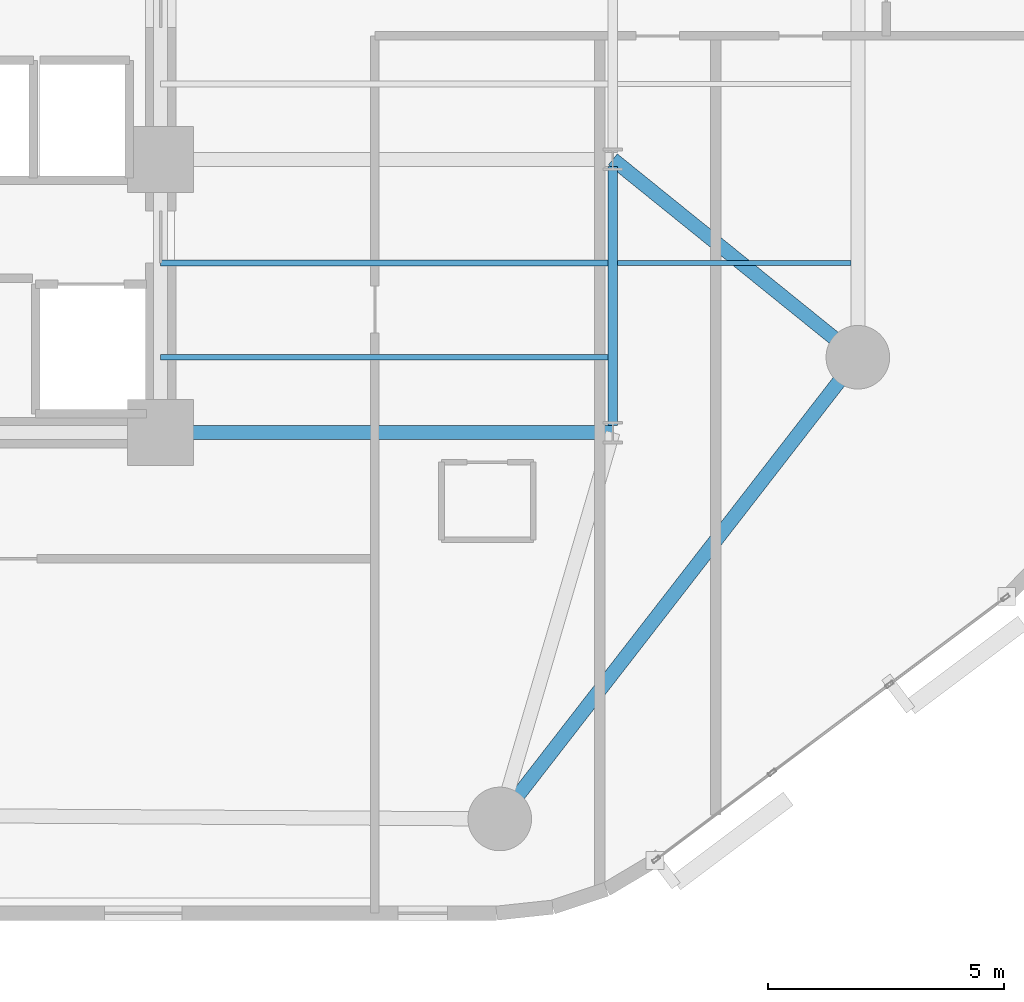
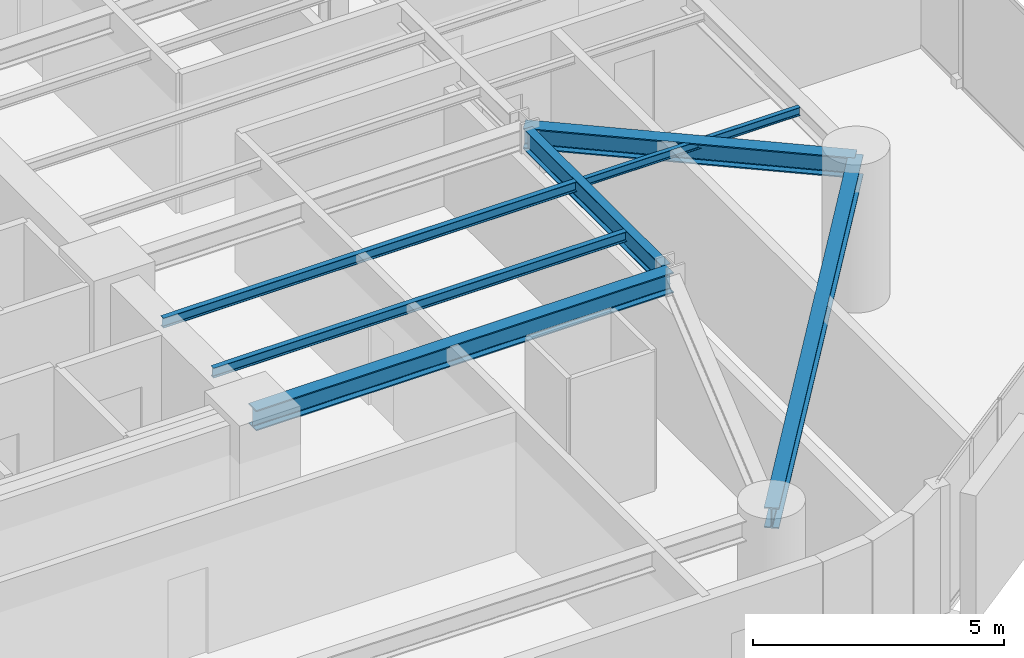
# One storey, part 3 of 16: 7 beams.
"""IFC4 building model written with IfcOpenShell, lengths in metres."""

from ifc_helpers import new_model, si_unit, direction, frame, origin, origin_2d, place, context, subcontext, project, spatial, i_section, extrude, material, material_profile, profile_set, type_object, element, save


model = new_model("IFC4")

# Units and contexts
model_context = context("Model", 3, precision=1e-05, world=origin(), true_north=direction((0.0, 1.0)))
body_context = subcontext(model_context, "Body", "Model", "MODEL_VIEW")
ifc_project = project(units=[si_unit("LENGTHUNIT", "METRE"), si_unit("AREAUNIT", "SQUARE_METRE"), si_unit("VOLUMEUNIT", "CUBIC_METRE"), si_unit("PLANEANGLEUNIT", "RADIAN"), si_unit("MASSUNIT", "GRAM", prefix="KILO")], contexts=[model_context])

# Site, building, storey
site_placement = place(None, origin())
site = spatial("IfcSite", under=ifc_project, at=site_placement, CompositionType="ELEMENT")
building_placement = place(site_placement, origin())
building = spatial("IfcBuilding", under=site, at=building_placement, Name="An Khanh Terracotta Commons", CompositionType="ELEMENT")
storey_placement = place(building_placement, frame((0.0, 0.0, 97.10009765625)))
storey = spatial("IfcBuildingStorey", under=building, at=storey_placement, Name="L25", CompositionType="ELEMENT", Elevation=97.10009765625)

# Beams
ifc_material = material(Name="Steel S355J2", Category="steel")
ifc_material_profile_1 = material_profile(ifc_material, i_section(OverallWidth=0.300048828125, OverallDepth=0.5, WebThickness=0.014404296875, FlangeThickness=0.028076171875, FilletRadius=0.027099609375, at=origin_2d()), Name="HEB500")
ifc_profile_set_1 = profile_set([ifc_material_profile_1], Name="Steel S355J2")
beam_type_1 = type_object("IfcBeamType", Name="BM-HEB500", PredefinedType="BEAM", material=ifc_profile_set_1)
beam_1_placement = place(storey_placement, frame((44.39990234375, 6.199951171875, 3.14990234375), z_axis=(0.612826529795, 0.790217466511, 0.0), x_axis=(-0.790217466511, 0.612826529795, 0.0)))
element("IfcBeam", 1, at=beam_1_placement, inside=storey, type_object=beam_type_1, Name="L25 Perimeter Ring Spandrel 2", PredefinedType="BEAM", context=body_context, shape_type="SweptSolid", body=[
    extrude(i_section(OverallWidth=0.300048828125, OverallDepth=0.5, WebThickness=0.014404296875, FlangeThickness=0.028076171875, FilletRadius=0.027099609375, at=origin_2d()), origin(), (0.0, 0.0, 1.0), 12.401611328125),
])
beam_2_placement = place(storey_placement, frame((37.199951171875, 14.39990234375, 3.14990234375), z_axis=(1.0, 0.0, 0.0), x_axis=(0.0, 1.0, 0.0)))
element("IfcBeam", 2, at=beam_2_placement, inside=storey, type_object=beam_type_1, Name="L25 East Primary Floor Girder 1", PredefinedType="BEAM", context=body_context, shape_type="SweptSolid", body=[
    extrude(i_section(OverallWidth=0.300048828125, OverallDepth=0.5, WebThickness=0.014404296875, FlangeThickness=0.028076171875, FilletRadius=0.027099609375, at=origin_2d()), origin(), (0.0, 0.0, 1.0), 9.60009765625),
])
beam_3_placement = place(storey_placement, frame((52.0, 16.0, 3.14990234375), z_axis=(-0.777941866883, 0.628336256913, 0.0), x_axis=(-0.628336256913, -0.777941866883, 0.0)))
element("IfcBeam", 3, at=beam_3_placement, inside=storey, type_object=beam_type_1, Name="L25 Mega-Column Tie Girder 3", PredefinedType="BEAM", context=body_context, shape_type="SweptSolid", body=[
    extrude(i_section(OverallWidth=0.300048828125, OverallDepth=0.5, WebThickness=0.014404296875, FlangeThickness=0.028076171875, FilletRadius=0.027099609375, at=origin_2d()), origin(), (0.0, 0.0, 1.0), 6.684326171875),
])
ifc_material_profile_2 = material_profile(ifc_material, i_section(OverallWidth=0.10009765625, OverallDepth=0.199951171875, WebThickness=0.005615234375, FlangeThickness=0.008544921875, FilletRadius=0.011962890625, at=origin_2d()), Name="IPE200")
ifc_profile_set_2 = profile_set([ifc_material_profile_2], Name="Steel S355J2")
beam_type_2 = type_object("IfcBeamType", Name="BM-IPE200", PredefinedType="JOIST", material=ifc_profile_set_2)
beam_4_placement = place(storey_placement, frame((46.89990234375, 18.0, 3.2998046875), z_axis=(1.0, 0.0, 0.0), x_axis=(0.0, 1.0, 0.0)))
element("IfcBeam", 4, at=beam_4_placement, inside=storey, type_object=beam_type_2, Name="L25 Riverfront Composite Joist 2", PredefinedType="JOIST", context=body_context, shape_type="SweptSolid", body=[
    extrude(i_section(OverallWidth=0.10009765625, OverallDepth=0.199951171875, WebThickness=0.005615234375, FlangeThickness=0.008544921875, FilletRadius=0.011962890625, at=origin_2d()), origin(), (0.0, 0.0, 1.0), 4.9501953125),
])
ifc_material_profile_3 = material_profile(ifc_material, i_section(OverallWidth=0.1201171875, OverallDepth=0.239990234375, WebThickness=0.006103515625, FlangeThickness=0.009765625, FilletRadius=0.014892578125, at=origin_2d()), Name="IPE240")
ifc_profile_set_3 = profile_set([ifc_material_profile_3], Name="Steel S355J2")
beam_type_3 = type_object("IfcBeamType", Name="BM-IPE240", PredefinedType="JOIST", material=ifc_profile_set_3)
for number, where, z_axis, x_axis, name in (
    (5, (37.199951171875, 16.0, 3.27978515625), (1.0, 0.0, 0.0), (0.0, 1.0, 0.0), "L25 Inboard Composite Joist 1"),
    (6, (37.199951171875, 18.0, 3.27978515625), (1.0, 0.0, 0.0), (0.0, 1.0, 0.0), "L25 Inboard Composite Joist 2"),
):
    element("IfcBeam", number, at=place(storey_placement, frame(where, z_axis=z_axis, x_axis=x_axis)), inside=storey, type_object=beam_type_3, Name=name, PredefinedType="JOIST", context=body_context, shape_type="SweptSolid", body=[
        extrude(i_section(OverallWidth=0.1201171875, OverallDepth=0.239990234375, WebThickness=0.006103515625, FlangeThickness=0.009765625, FilletRadius=0.014892578125, at=origin_2d()), origin(), (0.0, 0.0, 1.0), 9.5),
    ])
ifc_material_profile_4 = material_profile(ifc_material, i_section(OverallWidth=0.199951171875, OverallDepth=0.5, WebThickness=0.01025390625, FlangeThickness=0.01611328125, FilletRadius=0.02099609375, at=origin_2d()), Name="IPE500")
ifc_profile_set_4 = profile_set([ifc_material_profile_4], Name="Steel S355J2")
beam_type_4 = type_object("IfcBeamType", Name="BM-IPE500", PredefinedType="BEAM", material=ifc_profile_set_4)
beam_5_placement = place(storey_placement, frame((46.800048828125, 14.550048828125, 3.14990234375), z_axis=(0.0, 1.0, 0.0), x_axis=(-1.0, 0.0, 0.0)))
element("IfcBeam", 7, at=beam_5_placement, inside=storey, type_object=beam_type_4, Name="L25 East Spine Girder 1", PredefinedType="BEAM", context=body_context, shape_type="SweptSolid", body=[
    extrude(i_section(OverallWidth=0.199951171875, OverallDepth=0.5, WebThickness=0.01025390625, FlangeThickness=0.01611328125, FilletRadius=0.02099609375, at=origin_2d()), origin(), (0.0, 0.0, 1.0), 5.5),
])

save(model, "model.ifc")
